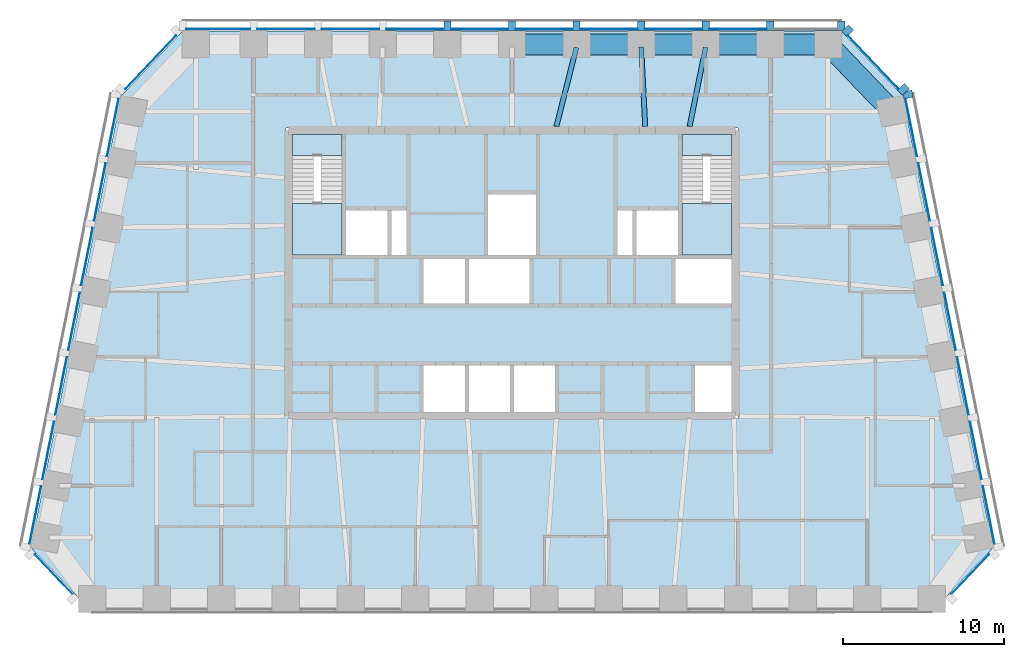
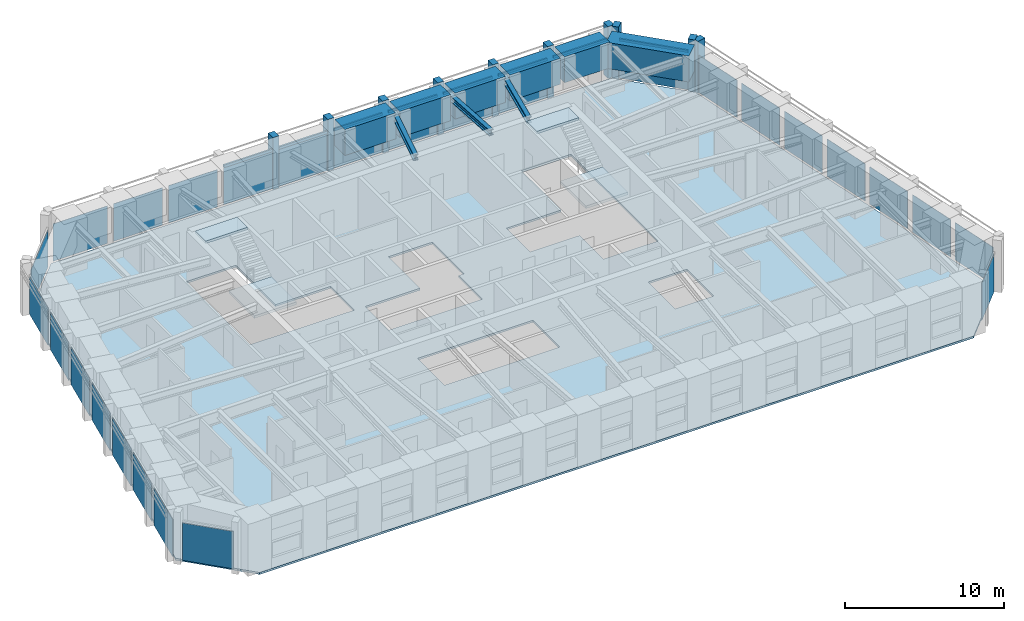
# One storey, part 3 of 11: 27 plates, 18 members, 9 beams, 5 slabs, 9 elements without a shape of their own.
"""IFC4 building model written with IfcOpenShell, lengths in metres."""

from ifc_helpers import new_model, si_unit, direction, frame, origin, origin_2d, place, context, subcontext, project, spatial, polyline, rectangle, i_section, outline, extrude, material, layer, layer_set, material_profile, profile_set, type_object, element, aggregate, save


model = new_model("IFC4")

# Units and contexts
model_context = context("Model", 3, precision=1e-05, world=origin(), true_north=direction((0.0, 1.0)))
body_context = subcontext(model_context, "Body", "Model", "MODEL_VIEW")
ifc_project = project(units=[si_unit("LENGTHUNIT", "METRE"), si_unit("AREAUNIT", "SQUARE_METRE"), si_unit("VOLUMEUNIT", "CUBIC_METRE"), si_unit("PLANEANGLEUNIT", "RADIAN"), si_unit("MASSUNIT", "GRAM", prefix="KILO")], contexts=[model_context])

# Site, building, storey
site_placement = place(None, origin())
site = spatial("IfcSite", under=ifc_project, at=site_placement, CompositionType="ELEMENT")
building_placement = place(site_placement, origin())
building = spatial("IfcBuilding", under=site, at=building_placement, Name="Isbrekke Arena Tower", CompositionType="ELEMENT")
storey_placement = place(building_placement, frame((0.0, 0.0, 288.0)))
storey = spatial("IfcBuildingStorey", under=building, at=storey_placement, Name="L67", CompositionType="ELEMENT", Elevation=288.0)

# Beams
ifc_material_1 = material(Name="Steel S355", Category="steel")
ifc_material_profile_1 = material_profile(ifc_material_1, i_section(OverallWidth=0.306884765625, OverallDepth=0.431884765625, WebThickness=0.02099609375, FlangeThickness=0.0400390625, FilletRadius=0.027099609375, at=origin_2d()), Name="HEM 400")
ifc_profile_set_1 = profile_set([ifc_material_profile_1], Name="Steel S355")
beam_type_1 = type_object("IfcBeamType", Name="B6 HEM 400", PredefinedType="BEAM", material=ifc_profile_set_1)
beam_1_placement = place(storey_placement, frame((11.993896484375, 28.9951171875, 3.634033203125), z_axis=(-0.198982177337, -0.980003108721, 0.0), x_axis=(0.980003108721, -0.198982177337, 0.0)))
element("IfcBeam", 1, at=beam_1_placement, inside=storey, type_object=beam_type_1, Name="B6 beam N-N03 L67", PredefinedType="BEAM", context=body_context, shape_type="SweptSolid", body=[
    extrude(i_section(OverallWidth=0.306884765625, OverallDepth=0.431884765625, WebThickness=0.02099609375, FlangeThickness=0.0400390625, FilletRadius=0.027099609375, at=origin_2d()), origin(), (0.0, 0.0, 1.0), 4.994873046875),
])
beam_2_placement = place(storey_placement, frame((8.00048828125, 29.017333984375, 3.634033203125), z_axis=(0.050677067868, -0.998715091902, 0.0), x_axis=(0.998715091902, 0.050677067868, 0.0)))
element("IfcBeam", 2, at=beam_2_placement, inside=storey, type_object=beam_type_1, Name="B6 beam N-N04 L67", PredefinedType="BEAM", context=body_context, shape_type="SweptSolid", body=[
    extrude(i_section(OverallWidth=0.306884765625, OverallDepth=0.431884765625, WebThickness=0.02099609375, FlangeThickness=0.0400390625, FilletRadius=0.027099609375, at=origin_2d()), origin(), (0.0, 0.0, 1.0), 4.923583984375),
])
beam_3_placement = place(storey_placement, frame((3.99072265625, 28.98828125, 3.634033203125), z_axis=(-0.246019579109, -0.969264858898, 0.0), x_axis=(0.969264858898, -0.246019579109, 0.0)))
element("IfcBeam", 3, at=beam_3_placement, inside=storey, type_object=beam_type_1, Name="B6 beam N-N05 L67", PredefinedType="BEAM", context=body_context, shape_type="SweptSolid", body=[
    extrude(i_section(OverallWidth=0.306884765625, OverallDepth=0.431884765625, WebThickness=0.02099609375, FlangeThickness=0.0400390625, FilletRadius=0.027099609375, at=origin_2d()), origin(), (0.0, 0.0, 1.0), 5.043212890625),
])

# Curtain wall, member
ifc_material_2 = material(Name="Glazed aluminium curtain wall", Category="aluminium")
curtain_wall_type = type_object("IfcCurtainWallType", Name="CWT TOWER CURTAIN WALL TOP ZONE", PredefinedType="USERDEFINED", material=ifc_material_2)
curtain_wall_1_placement = place(storey_placement, origin())
curtain_wall_1 = element("IfcCurtainWall", 4, at=curtain_wall_1_placement, inside=storey, type_object=curtain_wall_type, Name="CWT curtain wall L67-E", ObjectType="TOWER CURTAIN WALL TOP ZONE", PredefinedType="USERDEFINED")
ifc_material_3 = material(Name="Copper-clad aluminium mullion", Category="aluminium")
ifc_material_profile_2 = material_profile(ifc_material_3, rectangle(XDim=0.449951171875, YDim=0.60009765625, at=origin_2d()), Name="PIER 450X600")
ifc_profile_set_2 = profile_set([ifc_material_profile_2], Name="Copper-clad aluminium mullion")
member_type_1 = type_object("IfcMemberType", Name="CWT-M PIER MULLION 450 x 600", PredefinedType="MULLION", material=ifc_profile_set_2)
member_1_placement = place(storey_placement, frame((24.518798828125, 26.063720703125, 0.0), z_axis=(0.0, 0.0, 1.0), x_axis=(-0.196116135138, 0.980580675691, 0.0)))
member_1 = element("IfcMember", 5, at=member_1_placement, type_object=member_type_1, Name="CWT-M mullion 8", PredefinedType="MULLION", context=body_context, shape_type="SweptSolid", body=[
    extrude(rectangle(XDim=0.449951171875, YDim=0.60009765625, at=origin_2d()), origin(), (0.0, 0.0, 1.0), 4.0),
])

# Curtain wall, members
curtain_wall_2_placement = place(storey_placement, origin())
curtain_wall_2 = element("IfcCurtainWall", 6, at=curtain_wall_2_placement, inside=storey, type_object=curtain_wall_type, Name="CWT curtain wall L67-EN", ObjectType="TOWER CURTAIN WALL TOP ZONE", PredefinedType="USERDEFINED")
member_2_placement = place(storey_placement, frame((24.244384765625, 26.388671875, 0.0), z_axis=(0.0, 0.0, 1.0), x_axis=(-0.68874946192, 0.72499943359, 0.0)))
member_2 = element("IfcMember", 7, at=member_2_placement, type_object=member_type_1, Name="CWT-M mullion 1", PredefinedType="MULLION", context=body_context, shape_type="SweptSolid", body=[
    extrude(rectangle(XDim=0.449951171875, YDim=0.60009765625, at=origin_2d()), origin(), (0.0, 0.0, 1.0), 4.0),
])
member_3_placement = place(storey_placement, frame((20.795166015625, 30.019775390625, 0.0), z_axis=(0.0, 0.0, 1.0), x_axis=(-0.68874946192, 0.72499943359, 0.0)))
member_3 = element("IfcMember", 8, at=member_3_placement, type_object=member_type_1, Name="CWT-M mullion 2", PredefinedType="MULLION", context=body_context, shape_type="SweptSolid", body=[
    extrude(rectangle(XDim=0.449951171875, YDim=0.60009765625, at=origin_2d()), origin(), (0.0, 0.0, 1.0), 4.0),
])

curtain_wall_3_placement = place(storey_placement, origin())
curtain_wall_3 = element("IfcCurtainWall", 9, at=curtain_wall_3_placement, inside=storey, type_object=curtain_wall_type, Name="CWT curtain wall L67-N", ObjectType="TOWER CURTAIN WALL TOP ZONE", PredefinedType="USERDEFINED")
member_4_placement = place(storey_placement, frame((20.39990234375, 30.324951171875, 0.0), z_axis=(0.0, 0.0, 1.0), x_axis=(-1.0, 0.0, 0.0)))
member_4 = element("IfcMember", 10, at=member_4_placement, type_object=member_type_1, Name="CWT-M mullion 1", PredefinedType="MULLION", context=body_context, shape_type="SweptSolid", body=[
    extrude(rectangle(XDim=0.449951171875, YDim=0.60009765625, at=origin_2d()), origin(), (0.0, 0.0, 1.0), 4.0),
])
member_5_placement = place(storey_placement, frame((16.0, 30.324951171875, 0.0), z_axis=(0.0, 0.0, 1.0), x_axis=(-1.0, 0.0, 0.0)))
member_5 = element("IfcMember", 11, at=member_5_placement, type_object=member_type_1, Name="CWT-M mullion 2", PredefinedType="MULLION", context=body_context, shape_type="SweptSolid", body=[
    extrude(rectangle(XDim=0.449951171875, YDim=0.60009765625, at=origin_2d()), origin(), (0.0, 0.0, 1.0), 4.0),
])
member_6_placement = place(storey_placement, frame((12.0, 30.324951171875, 0.0), z_axis=(0.0, 0.0, 1.0), x_axis=(-1.0, 0.0, 0.0)))
member_6 = element("IfcMember", 12, at=member_6_placement, type_object=member_type_1, Name="CWT-M mullion 3", PredefinedType="MULLION", context=body_context, shape_type="SweptSolid", body=[
    extrude(rectangle(XDim=0.449951171875, YDim=0.60009765625, at=origin_2d()), origin(), (0.0, 0.0, 1.0), 4.0),
])
member_7_placement = place(storey_placement, frame((8.0, 30.324951171875, 0.0), z_axis=(0.0, 0.0, 1.0), x_axis=(-1.0, 0.0, 0.0)))
member_7 = element("IfcMember", 13, at=member_7_placement, type_object=member_type_1, Name="CWT-M mullion 4", PredefinedType="MULLION", context=body_context, shape_type="SweptSolid", body=[
    extrude(rectangle(XDim=0.449951171875, YDim=0.60009765625, at=origin_2d()), origin(), (0.0, 0.0, 1.0), 4.0),
])
member_8_placement = place(storey_placement, frame((4.0, 30.324951171875, 0.0), z_axis=(0.0, 0.0, 1.0), x_axis=(-1.0, 0.0, 0.0)))
member_8 = element("IfcMember", 14, at=member_8_placement, type_object=member_type_1, Name="CWT-M mullion 5", PredefinedType="MULLION", context=body_context, shape_type="SweptSolid", body=[
    extrude(rectangle(XDim=0.449951171875, YDim=0.60009765625, at=origin_2d()), origin(), (0.0, 0.0, 1.0), 4.0),
])
member_9_placement = place(storey_placement, frame((0.0, 30.324951171875, 0.0), z_axis=(0.0, 0.0, 1.0), x_axis=(-1.0, 0.0, 0.0)))
member_9 = element("IfcMember", 15, at=member_9_placement, type_object=member_type_1, Name="CWT-M mullion 6", PredefinedType="MULLION", context=body_context, shape_type="SweptSolid", body=[
    extrude(rectangle(XDim=0.449951171875, YDim=0.60009765625, at=origin_2d()), origin(), (0.0, 0.0, 1.0), 4.0),
])
member_10_placement = place(storey_placement, frame((-4.0, 30.324951171875, 0.0), z_axis=(0.0, 0.0, 1.0), x_axis=(-1.0, 0.0, 0.0)))
member_10 = element("IfcMember", 16, at=member_10_placement, type_object=member_type_1, Name="CWT-M mullion 7", PredefinedType="MULLION", context=body_context, shape_type="SweptSolid", body=[
    extrude(rectangle(XDim=0.449951171875, YDim=0.60009765625, at=origin_2d()), origin(), (0.0, 0.0, 1.0), 4.0),
])

# Member
ifc_material_4 = material(Name="Aluminium transom", Category="aluminium")
ifc_material_profile_3 = material_profile(ifc_material_4, rectangle(XDim=0.1201171875, YDim=0.199951171875, at=origin_2d()), Name="TRANSOM 120X200")
ifc_profile_set_3 = profile_set([ifc_material_profile_3], Name="Aluminium transom")
member_type_2 = type_object("IfcMemberType", Name="CWT-T TRANSOM 120 x 200", PredefinedType="USERDEFINED", material=ifc_profile_set_3)
member_11_placement = place(storey_placement, frame((23.944580078125, 26.4140625, 3.0), z_axis=(-0.688771983213, 0.724978037696, 0.0), x_axis=(-0.724978037696, -0.688771983213, 0.0)))
member_11 = element("IfcMember", 17, at=member_11_placement, type_object=member_type_2, Name="CWT-T transom 1", ObjectType="TRANSOM", PredefinedType="USERDEFINED", context=body_context, shape_type="SweptSolid", body=[
    extrude(rectangle(XDim=0.1201171875, YDim=0.199951171875, at=origin_2d()), origin(), (0.0, 0.0, 1.0), 4.558349609375),
])

member_12_placement = place(storey_placement, frame((20.175048828125, 30.125, 3.0), z_axis=(-1.0, 0.0, 0.0), x_axis=(0.0, -1.0, 0.0)))
member_12 = element("IfcMember", 18, at=member_12_placement, type_object=member_type_2, Name="CWT-T transom 1", ObjectType="TRANSOM", PredefinedType="USERDEFINED", context=body_context, shape_type="SweptSolid", body=[
    extrude(rectangle(XDim=0.1201171875, YDim=0.199951171875, at=origin_2d()), origin(), (0.0, 0.0, 1.0), 3.949951171875),
])

member_13_placement = place(storey_placement, frame((15.77490234375, 30.125, 3.0), z_axis=(-1.0, 0.0, 0.0), x_axis=(0.0, -1.0, 0.0)))
member_13 = element("IfcMember", 19, at=member_13_placement, type_object=member_type_2, Name="CWT-T transom 2", ObjectType="TRANSOM", PredefinedType="USERDEFINED", context=body_context, shape_type="SweptSolid", body=[
    extrude(rectangle(XDim=0.1201171875, YDim=0.199951171875, at=origin_2d()), origin(), (0.0, 0.0, 1.0), 3.5498046875),
])

member_14_placement = place(storey_placement, frame((11.77490234375, 30.125, 3.0), z_axis=(-1.0, 0.0, 0.0), x_axis=(0.0, -1.0, 0.0)))
member_14 = element("IfcMember", 20, at=member_14_placement, type_object=member_type_2, Name="CWT-T transom 3", ObjectType="TRANSOM", PredefinedType="USERDEFINED", context=body_context, shape_type="SweptSolid", body=[
    extrude(rectangle(XDim=0.1201171875, YDim=0.199951171875, at=origin_2d()), origin(), (0.0, 0.0, 1.0), 3.5498046875),
])

member_15_placement = place(storey_placement, frame((7.77490234375, 30.125, 3.0), z_axis=(-1.0, 0.0, 0.0), x_axis=(0.0, -1.0, 0.0)))
member_15 = element("IfcMember", 21, at=member_15_placement, type_object=member_type_2, Name="CWT-T transom 4", ObjectType="TRANSOM", PredefinedType="USERDEFINED", context=body_context, shape_type="SweptSolid", body=[
    extrude(rectangle(XDim=0.1201171875, YDim=0.199951171875, at=origin_2d()), origin(), (0.0, 0.0, 1.0), 3.5498046875),
])

member_16_placement = place(storey_placement, frame((3.77490234375, 30.125, 3.0), z_axis=(-1.0, 0.0, 0.0), x_axis=(0.0, -1.0, 0.0)))
member_16 = element("IfcMember", 22, at=member_16_placement, type_object=member_type_2, Name="CWT-T transom 5", ObjectType="TRANSOM", PredefinedType="USERDEFINED", context=body_context, shape_type="SweptSolid", body=[
    extrude(rectangle(XDim=0.1201171875, YDim=0.199951171875, at=origin_2d()), origin(), (0.0, 0.0, 1.0), 3.5498046875),
])

member_17_placement = place(storey_placement, frame((-0.22509765625, 30.125, 3.0), z_axis=(-1.0, 0.0, 0.0), x_axis=(0.0, -1.0, 0.0)))
member_17 = element("IfcMember", 23, at=member_17_placement, type_object=member_type_2, Name="CWT-T transom 6", ObjectType="TRANSOM", PredefinedType="USERDEFINED", context=body_context, shape_type="SweptSolid", body=[
    extrude(rectangle(XDim=0.1201171875, YDim=0.199951171875, at=origin_2d()), origin(), (0.0, 0.0, 1.0), 3.5498046875),
])

member_18_placement = place(storey_placement, frame((-4.22509765625, 30.125, 3.0), z_axis=(-1.0, 0.0, 0.0), x_axis=(0.0, -1.0, 0.0)))
member_18 = element("IfcMember", 24, at=member_18_placement, type_object=member_type_2, Name="CWT-T transom 7", ObjectType="TRANSOM", PredefinedType="USERDEFINED", context=body_context, shape_type="SweptSolid", body=[
    extrude(rectangle(XDim=0.1201171875, YDim=0.199951171875, at=origin_2d()), origin(), (0.0, 0.0, 1.0), 3.5498046875),
])

# Beams
ifc_material_5 = material(Name="Concrete B55 (C55/67)", Category="concrete")
ifc_material_profile_4 = material_profile(ifc_material_5, rectangle(XDim=1.300048828125, YDim=2.0, at=origin_2d()), Name="RC 1300x2000")
ifc_profile_set_4 = profile_set([ifc_material_profile_4], Name="Concrete B55 (C55/67)")
beam_type_2 = type_object("IfcBeamType", Name="SB4 RC 1300 x 2000", PredefinedType="SPANDREL", material=ifc_profile_set_4)
beam_4_placement = place(storey_placement, frame((23.448974609375, 25.137451171875, 3.0), z_axis=(-0.692339547635, 0.721571861134, 0.0), x_axis=(-0.721571861134, -0.692339547635, 0.0)))
element("IfcBeam", 25, at=beam_4_placement, inside=storey, type_object=beam_type_2, Name="SB4 spandrel E08-N01 L67", PredefinedType="SPANDREL", context=body_context, shape_type="SweptSolid", body=[
    extrude(rectangle(XDim=1.300048828125, YDim=2.0, at=origin_2d()), origin(), (0.0, 0.0, 1.0), 5.4453125),
])
beam_5_placement = place(storey_placement, frame((19.425048828125, 29.175048828125, 3.0), z_axis=(-1.0, 0.0, 0.0), x_axis=(0.0, -1.0, 0.0)))
element("IfcBeam", 26, at=beam_5_placement, inside=storey, type_object=beam_type_2, Name="SB4 spandrel N01-N02 L67", PredefinedType="SPANDREL", context=body_context, shape_type="SweptSolid", body=[
    extrude(rectangle(XDim=1.300048828125, YDim=2.0, at=origin_2d()), origin(), (0.0, 0.0, 1.0), 3.275146484375),
])
for number, where, z_axis, x_axis, name in (
    (27, (15.85009765625, 29.175048828125, 3.0), (-1.0, 0.0, 0.0), (0.0, -1.0, 0.0), "SB4 spandrel N02-N03 L67"),
    (28, (11.85009765625, 29.175048828125, 3.0), (-1.0, 0.0, 0.0), (0.0, -1.0, 0.0), "SB4 spandrel N03-N04 L67"),
    (29, (7.85009765625, 29.175048828125, 3.0), (-1.0, 0.0, 0.0), (0.0, -1.0, 0.0), "SB4 spandrel N04-N05 L67"),
    (30, (3.85009765625, 29.175048828125, 3.0), (-1.0, 0.0, 0.0), (0.0, -1.0, 0.0), "SB4 spandrel N05-N06 L67"),
):
    element("IfcBeam", number, at=place(storey_placement, frame(where, z_axis=z_axis, x_axis=x_axis)), inside=storey, type_object=beam_type_2, Name=name, PredefinedType="SPANDREL", context=body_context, shape_type="SweptSolid", body=[
        extrude(rectangle(XDim=1.300048828125, YDim=2.0, at=origin_2d()), origin(), (0.0, 0.0, 1.0), 3.7001953125),
    ])

# Curtain wall, plate
curtain_wall_4_placement = place(storey_placement, origin())
curtain_wall_4 = element("IfcCurtainWall", 31, at=curtain_wall_4_placement, inside=storey, type_object=curtain_wall_type, Name="CWT curtain wall L67-SE", ObjectType="TOWER CURTAIN WALL TOP ZONE", PredefinedType="USERDEFINED")
ifc_material_6 = material(Name="Triple-glazed clear glass unit", Category="glass")
ifc_layer_1 = layer(ifc_material_6, 0.031982421875)
ifc_layer_set_1 = layer_set([ifc_layer_1], Name="CWT-P VISION PANEL")
plate_type = type_object("IfcPlateType", Name="CWT-P VISION PANEL", PredefinedType="CURTAIN_PANEL", material=ifc_layer_set_1)
plate_1_placement = place(storey_placement, frame((28.383056640625, -3.63671875, 0.02001953125), z_axis=(0.0, 0.0, 1.0), x_axis=(0.68874946192, 0.72499943359, 0.0)))
plate_1 = element("IfcPlate", 32, at=plate_1_placement, type_object=plate_type, Name="CWT-P panel 1", PredefinedType="CURTAIN_PANEL", context=body_context, shape_type="SweptSolid", body=[
    extrude(rectangle(XDim=3.34765625, YDim=0.031982421875, at=origin_2d()), origin(), (0.0, 0.0, 1.0), 2.8798828125),
])
aggregate(curtain_wall_4, [plate_1])

# Plate
plate_2_placement = place(storey_placement, frame((29.5224609375, 0.0244140625, 0.02001953125), z_axis=(0.0, 0.0, 1.0), x_axis=(-0.196116135138, 0.980580675691, 0.0)))
plate_2 = element("IfcPlate", 33, at=plate_2_placement, type_object=plate_type, Name="CWT-P panel 1", PredefinedType="CURTAIN_PANEL", context=body_context, shape_type="SweptSolid", body=[
    extrude(rectangle(XDim=3.629150390625, YDim=0.031982421875, at=origin_2d()), origin(), (0.0, 0.0, 1.0), 2.8798828125),
])

plate_3_placement = place(storey_placement, frame((28.72265625, 4.0244140625, 0.02001953125), z_axis=(0.0, 0.0, 1.0), x_axis=(-0.196116135138, 0.980580675691, 0.0)))
plate_3 = element("IfcPlate", 34, at=plate_3_placement, type_object=plate_type, Name="CWT-P panel 2", PredefinedType="CURTAIN_PANEL", context=body_context, shape_type="SweptSolid", body=[
    extrude(rectangle(XDim=3.629150390625, YDim=0.031982421875, at=origin_2d()), origin(), (0.0, 0.0, 1.0), 2.8798828125),
])

plate_4_placement = place(storey_placement, frame((27.922607421875, 8.0244140625, 0.02001953125), z_axis=(0.0, 0.0, 1.0), x_axis=(-0.196116135138, 0.980580675691, 0.0)))
plate_4 = element("IfcPlate", 35, at=plate_4_placement, type_object=plate_type, Name="CWT-P panel 3", PredefinedType="CURTAIN_PANEL", context=body_context, shape_type="SweptSolid", body=[
    extrude(rectangle(XDim=3.629150390625, YDim=0.031982421875, at=origin_2d()), origin(), (0.0, 0.0, 1.0), 2.8798828125),
])

plate_5_placement = place(storey_placement, frame((27.12255859375, 12.0244140625, 0.02001953125), z_axis=(0.0, 0.0, 1.0), x_axis=(-0.196116135138, 0.980580675691, 0.0)))
plate_5 = element("IfcPlate", 36, at=plate_5_placement, type_object=plate_type, Name="CWT-P panel 4", PredefinedType="CURTAIN_PANEL", context=body_context, shape_type="SweptSolid", body=[
    extrude(rectangle(XDim=3.629150390625, YDim=0.031982421875, at=origin_2d()), origin(), (0.0, 0.0, 1.0), 2.8798828125),
])

plate_6_placement = place(storey_placement, frame((26.322509765625, 16.0244140625, 0.02001953125), z_axis=(0.0, 0.0, 1.0), x_axis=(-0.196116135138, 0.980580675691, 0.0)))
plate_6 = element("IfcPlate", 37, at=plate_6_placement, type_object=plate_type, Name="CWT-P panel 5", PredefinedType="CURTAIN_PANEL", context=body_context, shape_type="SweptSolid", body=[
    extrude(rectangle(XDim=3.629150390625, YDim=0.031982421875, at=origin_2d()), origin(), (0.0, 0.0, 1.0), 2.8798828125),
])

plate_7_placement = place(storey_placement, frame((25.5224609375, 20.0244140625, 0.02001953125), z_axis=(0.0, 0.0, 1.0), x_axis=(-0.196116135138, 0.980580675691, 0.0)))
plate_7 = element("IfcPlate", 38, at=plate_7_placement, type_object=plate_type, Name="CWT-P panel 6", PredefinedType="CURTAIN_PANEL", context=body_context, shape_type="SweptSolid", body=[
    extrude(rectangle(XDim=3.629150390625, YDim=0.031982421875, at=origin_2d()), origin(), (0.0, 0.0, 1.0), 2.8798828125),
])

plate_8_placement = place(storey_placement, frame((24.72265625, 24.0244140625, 0.02001953125), z_axis=(0.0, 0.0, 1.0), x_axis=(-0.196116135138, 0.980580675691, 0.0)))
plate_8 = element("IfcPlate", 39, at=plate_8_placement, type_object=plate_type, Name="CWT-P panel 7", PredefinedType="CURTAIN_PANEL", context=body_context, shape_type="SweptSolid", body=[
    extrude(rectangle(XDim=3.629150390625, YDim=0.031982421875, at=origin_2d()), origin(), (0.0, 0.0, 1.0), 2.8798828125),
])

aggregate(curtain_wall_1, [member_1, plate_2, plate_3, plate_4, plate_5, plate_6, plate_7, plate_8])

plate_9_placement = place(storey_placement, frame((22.374755859375, 28.06640625, 0.02001953125), z_axis=(0.0, 0.0, 1.0), x_axis=(-0.68874946192, 0.72499943359, 0.0)))
plate_9 = element("IfcPlate", 40, at=plate_9_placement, type_object=plate_type, Name="CWT-P panel 1", PredefinedType="CURTAIN_PANEL", context=body_context, shape_type="SweptSolid", body=[
    extrude(rectangle(XDim=4.558349609375, YDim=0.031982421875, at=origin_2d()), origin(), (0.0, 0.0, 1.0), 2.8798828125),
])

aggregate(curtain_wall_2, [member_2, member_3, member_11, plate_9])

plate_10_placement = place(storey_placement, frame((14.0, 30.125, 0.02001953125), z_axis=(0.0, 0.0, 1.0), x_axis=(-1.0, 0.0, 0.0)))
plate_10 = element("IfcPlate", 41, at=plate_10_placement, type_object=plate_type, Name="CWT-P panel 2", PredefinedType="CURTAIN_PANEL", context=body_context, shape_type="SweptSolid", body=[
    extrude(rectangle(XDim=3.550048828125, YDim=0.031982421875, at=origin_2d()), origin(), (0.0, 0.0, 1.0), 2.8798828125),
])

plate_11_placement = place(storey_placement, frame((10.0, 30.125, 0.02001953125), z_axis=(0.0, 0.0, 1.0), x_axis=(-1.0, 0.0, 0.0)))
plate_11 = element("IfcPlate", 42, at=plate_11_placement, type_object=plate_type, Name="CWT-P panel 3", PredefinedType="CURTAIN_PANEL", context=body_context, shape_type="SweptSolid", body=[
    extrude(rectangle(XDim=3.550048828125, YDim=0.031982421875, at=origin_2d()), origin(), (0.0, 0.0, 1.0), 2.8798828125),
])

plate_12_placement = place(storey_placement, frame((6.0, 30.125, 0.02001953125), z_axis=(0.0, 0.0, 1.0), x_axis=(-1.0, 0.0, 0.0)))
plate_12 = element("IfcPlate", 43, at=plate_12_placement, type_object=plate_type, Name="CWT-P panel 4", PredefinedType="CURTAIN_PANEL", context=body_context, shape_type="SweptSolid", body=[
    extrude(rectangle(XDim=3.550048828125, YDim=0.031982421875, at=origin_2d()), origin(), (0.0, 0.0, 1.0), 2.8798828125),
])

plate_13_placement = place(storey_placement, frame((2.0, 30.125, 0.02001953125), z_axis=(0.0, 0.0, 1.0), x_axis=(-1.0, 0.0, 0.0)))
plate_13 = element("IfcPlate", 44, at=plate_13_placement, type_object=plate_type, Name="CWT-P panel 5", PredefinedType="CURTAIN_PANEL", context=body_context, shape_type="SweptSolid", body=[
    extrude(rectangle(XDim=3.550048828125, YDim=0.031982421875, at=origin_2d()), origin(), (0.0, 0.0, 1.0), 2.8798828125),
])

plate_14_placement = place(storey_placement, frame((-2.0, 30.125, 0.02001953125), z_axis=(0.0, 0.0, 1.0), x_axis=(-1.0, 0.0, 0.0)))
plate_14 = element("IfcPlate", 45, at=plate_14_placement, type_object=plate_type, Name="CWT-P panel 6", PredefinedType="CURTAIN_PANEL", context=body_context, shape_type="SweptSolid", body=[
    extrude(rectangle(XDim=3.550048828125, YDim=0.031982421875, at=origin_2d()), origin(), (0.0, 0.0, 1.0), 2.8798828125),
])

plate_15_placement = place(storey_placement, frame((-6.0, 30.125, 0.02001953125), z_axis=(0.0, 0.0, 1.0), x_axis=(-1.0, 0.0, 0.0)))
plate_15 = element("IfcPlate", 46, at=plate_15_placement, type_object=plate_type, Name="CWT-P panel 7", PredefinedType="CURTAIN_PANEL", context=body_context, shape_type="SweptSolid", body=[
    extrude(rectangle(XDim=3.550048828125, YDim=0.031982421875, at=origin_2d()), origin(), (0.0, 0.0, 1.0), 2.8798828125),
])

plate_16_placement = place(storey_placement, frame((-10.0, 30.125, 0.02001953125), z_axis=(0.0, 0.0, 1.0), x_axis=(-1.0, 0.0, 0.0)))
plate_16 = element("IfcPlate", 47, at=plate_16_placement, type_object=plate_type, Name="CWT-P panel 8", PredefinedType="CURTAIN_PANEL", context=body_context, shape_type="SweptSolid", body=[
    extrude(rectangle(XDim=3.550048828125, YDim=0.031982421875, at=origin_2d()), origin(), (0.0, 0.0, 1.0), 2.8798828125),
])

plate_17_placement = place(storey_placement, frame((-14.0, 30.125, 0.02001953125), z_axis=(0.0, 0.0, 1.0), x_axis=(-1.0, 0.0, 0.0)))
plate_17 = element("IfcPlate", 48, at=plate_17_placement, type_object=plate_type, Name="CWT-P panel 9", PredefinedType="CURTAIN_PANEL", context=body_context, shape_type="SweptSolid", body=[
    extrude(rectangle(XDim=3.550048828125, YDim=0.031982421875, at=origin_2d()), origin(), (0.0, 0.0, 1.0), 2.8798828125),
])

plate_18_placement = place(storey_placement, frame((-18.199951171875, 30.125, 0.02001953125), z_axis=(0.0, 0.0, 1.0), x_axis=(-1.0, 0.0, 0.0)))
plate_18 = element("IfcPlate", 49, at=plate_18_placement, type_object=plate_type, Name="CWT-P panel 10", PredefinedType="CURTAIN_PANEL", context=body_context, shape_type="SweptSolid", body=[
    extrude(rectangle(XDim=3.949951171875, YDim=0.031982421875, at=origin_2d()), origin(), (0.0, 0.0, 1.0), 2.8798828125),
])

aggregate(curtain_wall_3, [member_4, member_5, member_6, member_7, member_8, member_9, member_10, member_12, member_13, plate_10, member_14, plate_11, member_15, plate_12, member_16, plate_13, member_17, plate_14, member_18, plate_15, plate_16, plate_17, plate_18])

# Curtain wall, plate
curtain_wall_5_placement = place(storey_placement, origin())
curtain_wall_5 = element("IfcCurtainWall", 50, at=curtain_wall_5_placement, inside=storey, type_object=curtain_wall_type, Name="CWT curtain wall L67-NW", ObjectType="TOWER CURTAIN WALL TOP ZONE", PredefinedType="USERDEFINED")
plate_19_placement = place(storey_placement, frame((-22.37451171875, 28.066650390625, 0.02001953125), z_axis=(0.0, 0.0, 1.0), x_axis=(-0.68874946192, -0.72499943359, 0.0)))
plate_19 = element("IfcPlate", 51, at=plate_19_placement, type_object=plate_type, Name="CWT-P panel 1", PredefinedType="CURTAIN_PANEL", context=body_context, shape_type="SweptSolid", body=[
    extrude(rectangle(XDim=4.557373046875, YDim=0.031982421875, at=origin_2d()), origin(), (0.0, 0.0, 1.0), 2.8798828125),
])
aggregate(curtain_wall_5, [plate_19])

# Curtain wall, plates
curtain_wall_6_placement = place(storey_placement, origin())
curtain_wall_6 = element("IfcCurtainWall", 52, at=curtain_wall_6_placement, inside=storey, type_object=curtain_wall_type, Name="CWT curtain wall L67-W", ObjectType="TOWER CURTAIN WALL TOP ZONE", PredefinedType="USERDEFINED")
plate_20_placement = place(storey_placement, frame((-24.72265625, 24.0244140625, 0.02001953125), z_axis=(0.0, 0.0, 1.0), x_axis=(-0.196116135138, -0.980580675691, 0.0)))
plate_20 = element("IfcPlate", 53, at=plate_20_placement, type_object=plate_type, Name="CWT-P panel 1", PredefinedType="CURTAIN_PANEL", context=body_context, shape_type="SweptSolid", body=[
    extrude(rectangle(XDim=3.629150390625, YDim=0.031982421875, at=origin_2d()), origin(), (0.0, 0.0, 1.0), 2.8798828125),
])
plate_21_placement = place(storey_placement, frame((-25.5224609375, 20.0244140625, 0.02001953125), z_axis=(0.0, 0.0, 1.0), x_axis=(-0.196116135138, -0.980580675691, 0.0)))
plate_21 = element("IfcPlate", 54, at=plate_21_placement, type_object=plate_type, Name="CWT-P panel 2", PredefinedType="CURTAIN_PANEL", context=body_context, shape_type="SweptSolid", body=[
    extrude(rectangle(XDim=3.629150390625, YDim=0.031982421875, at=origin_2d()), origin(), (0.0, 0.0, 1.0), 2.8798828125),
])
plate_22_placement = place(storey_placement, frame((-26.322509765625, 16.0244140625, 0.02001953125), z_axis=(0.0, 0.0, 1.0), x_axis=(-0.196116135138, -0.980580675691, 0.0)))
plate_22 = element("IfcPlate", 55, at=plate_22_placement, type_object=plate_type, Name="CWT-P panel 3", PredefinedType="CURTAIN_PANEL", context=body_context, shape_type="SweptSolid", body=[
    extrude(rectangle(XDim=3.629150390625, YDim=0.031982421875, at=origin_2d()), origin(), (0.0, 0.0, 1.0), 2.8798828125),
])
plate_23_placement = place(storey_placement, frame((-27.12255859375, 12.0244140625, 0.02001953125), z_axis=(0.0, 0.0, 1.0), x_axis=(-0.196116135138, -0.980580675691, 0.0)))
plate_23 = element("IfcPlate", 56, at=plate_23_placement, type_object=plate_type, Name="CWT-P panel 4", PredefinedType="CURTAIN_PANEL", context=body_context, shape_type="SweptSolid", body=[
    extrude(rectangle(XDim=3.629150390625, YDim=0.031982421875, at=origin_2d()), origin(), (0.0, 0.0, 1.0), 2.8798828125),
])
plate_24_placement = place(storey_placement, frame((-27.922607421875, 8.0244140625, 0.02001953125), z_axis=(0.0, 0.0, 1.0), x_axis=(-0.196116135138, -0.980580675691, 0.0)))
plate_24 = element("IfcPlate", 57, at=plate_24_placement, type_object=plate_type, Name="CWT-P panel 5", PredefinedType="CURTAIN_PANEL", context=body_context, shape_type="SweptSolid", body=[
    extrude(rectangle(XDim=3.629150390625, YDim=0.031982421875, at=origin_2d()), origin(), (0.0, 0.0, 1.0), 2.8798828125),
])
plate_25_placement = place(storey_placement, frame((-28.72265625, 4.0244140625, 0.02001953125), z_axis=(0.0, 0.0, 1.0), x_axis=(-0.196116135138, -0.980580675691, 0.0)))
plate_25 = element("IfcPlate", 58, at=plate_25_placement, type_object=plate_type, Name="CWT-P panel 6", PredefinedType="CURTAIN_PANEL", context=body_context, shape_type="SweptSolid", body=[
    extrude(rectangle(XDim=3.629150390625, YDim=0.031982421875, at=origin_2d()), origin(), (0.0, 0.0, 1.0), 2.8798828125),
])
plate_26_placement = place(storey_placement, frame((-29.5224609375, 0.0244140625, 0.02001953125), z_axis=(0.0, 0.0, 1.0), x_axis=(-0.196116135138, -0.980580675691, 0.0)))
plate_26 = element("IfcPlate", 59, at=plate_26_placement, type_object=plate_type, Name="CWT-P panel 7", PredefinedType="CURTAIN_PANEL", context=body_context, shape_type="SweptSolid", body=[
    extrude(rectangle(XDim=3.629150390625, YDim=0.031982421875, at=origin_2d()), origin(), (0.0, 0.0, 1.0), 2.8798828125),
])
aggregate(curtain_wall_6, [plate_20, plate_21, plate_22, plate_23, plate_24, plate_25, plate_26])

# Curtain wall, plate
curtain_wall_7_placement = place(storey_placement, origin())
curtain_wall_7 = element("IfcCurtainWall", 60, at=curtain_wall_7_placement, inside=storey, type_object=curtain_wall_type, Name="CWT curtain wall L67-WS", ObjectType="TOWER CURTAIN WALL TOP ZONE", PredefinedType="USERDEFINED")
plate_27_placement = place(storey_placement, frame((-28.382568359375, -3.63720703125, 0.02001953125), z_axis=(0.0, 0.0, 1.0), x_axis=(0.68874946192, -0.72499943359, 0.0)))
plate_27 = element("IfcPlate", 61, at=plate_27_placement, type_object=plate_type, Name="CWT-P panel 1", PredefinedType="CURTAIN_PANEL", context=body_context, shape_type="SweptSolid", body=[
    extrude(rectangle(XDim=3.3466796875, YDim=0.031982421875, at=origin_2d()), origin(), (0.0, 0.0, 1.0), 2.8798828125),
])
aggregate(curtain_wall_7, [plate_27])

# Slab
ifc_material_7 = material(Name="Concrete B35 (C35/45)", Category="concrete")
ifc_layer_2 = layer(ifc_material_7, 0.14990234375)
ifc_layer_set_2 = layer_set([ifc_layer_2], Name="FS1 COMPOSITE FLOOR 150")
slab_type_1 = type_object("IfcSlabType", Name="FS1 COMPOSITE FLOOR 150", PredefinedType="FLOOR", material=ifc_layer_set_2)
slab_1_placement = place(storey_placement, frame((0.0, 0.0, -0.14990234375)))
element("IfcSlab", 62, at=slab_1_placement, inside=storey, type_object=slab_type_1, Name="FS1 floor slab L67", PredefinedType="FLOOR", context=body_context, shape_type="SweptSolid", body=[
    extrude(outline(polyline([(-26.0, -6.0), (26.0, -6.0), (29.800048828125, -2.0), (24.199951171875, 26.0), (20.39990234375, 30.0), (-20.39990234375, 30.0), (-24.199951171875, 26.0), (-29.800048828125, -2.0), (-26.0, -6.0)]), holes=[polyline([(2.800048828125, 9.39990234375), (2.800048828125, 6.0), (-5.60009765625, 6.0), (-5.60009765625, 9.39990234375), (2.800048828125, 9.39990234375)]), polyline([(11.199951171875, 6.0), (11.199951171875, 9.39990234375), (14.0, 9.39990234375), (14.0, 6.0), (11.199951171875, 6.0)]), polyline([(-5.60009765625, 13.0), (-5.60009765625, 16.0), (-1.60009765625, 16.0), (-1.60009765625, 20.0), (1.60009765625, 20.0), (1.60009765625, 16.0), (1.199951171875, 16.0), (1.199951171875, 13.0), (-5.60009765625, 13.0)]), polyline([(14.0, 13.0), (10.0, 13.0), (10.0, 16.0), (6.39990234375, 16.0), (6.39990234375, 19.0), (10.39990234375, 19.0), (10.39990234375, 24.0), (14.0, 24.0), (14.0, 13.0)]), polyline([(-6.39990234375, 19.0), (-6.39990234375, 16.0), (-14.0, 16.0), (-14.0, 24.0), (-10.39990234375, 24.0), (-10.39990234375, 19.0), (-6.39990234375, 19.0)])]), origin(), (0.0, 0.0, 1.0), 0.14990234375),
])

# Stair, slabs
ifc_material_8 = material(Name="Concrete B45 (C45/55) precast", Category="concrete")
stair_type = type_object("IfcStairType", Name="ST40 STAIR 1300 WIDE, 24 RISERS 167", PredefinedType="HALF_TURN_STAIR", material=ifc_material_8)
stair_1_placement = place(storey_placement, origin())
stair_1 = element("IfcStair", 63, at=stair_1_placement, inside=storey, type_object=stair_type, Name="ST1 stair L67", PredefinedType="HALF_TURN_STAIR")
ifc_material_9 = material(Name="Concrete B35 (C35/45)", Category="concrete")
ifc_layer_3 = layer(ifc_material_9, 0.199951171875)
ifc_layer_set_3 = layer_set([ifc_layer_3], Name="SL1 STAIR LANDING 200")
slab_type_2 = type_object("IfcSlabType", Name="SL1 STAIR LANDING 200", PredefinedType="LANDING", material=ifc_layer_set_3)
slab_2_placement = place(storey_placement, frame((0.0, 0.0, 1.800048828125)))
slab_2 = element("IfcSlab", 64, at=slab_2_placement, type_object=slab_type_2, Name="ST1 landing 1", PredefinedType="LANDING", context=body_context, shape_type="SweptSolid", body=[
    extrude(outline(polyline([(-13.60009765625, 16.125), (-10.52490234375, 16.125), (-10.52490234375, 19.330078125), (-13.60009765625, 19.330078125), (-13.60009765625, 16.125)])), origin(), (0.0, 0.0, 1.0), 0.199951171875),
])
slab_3_placement = place(storey_placement, frame((0.0, 0.0, 3.800048828125)))
slab_3 = element("IfcSlab", 65, at=slab_3_placement, type_object=slab_type_2, Name="ST1 landing 2", PredefinedType="LANDING", context=body_context, shape_type="SweptSolid", body=[
    extrude(outline(polyline([(-13.60009765625, 22.300048828125), (-10.52490234375, 22.300048828125), (-10.52490234375, 23.60009765625), (-13.60009765625, 23.60009765625), (-13.60009765625, 22.300048828125)])), origin(), (0.0, 0.0, 1.0), 0.199951171875),
])
aggregate(stair_1, [slab_2, slab_3])

stair_2_placement = place(storey_placement, origin())
stair_2 = element("IfcStair", 66, at=stair_2_placement, inside=storey, type_object=stair_type, Name="ST2 stair L67", PredefinedType="HALF_TURN_STAIR")
slab_4_placement = place(storey_placement, frame((0.0, 0.0, 1.800048828125)))
slab_4 = element("IfcSlab", 67, at=slab_4_placement, type_object=slab_type_2, Name="ST2 landing 1", PredefinedType="LANDING", context=body_context, shape_type="SweptSolid", body=[
    extrude(outline(polyline([(10.52490234375, 16.125), (13.60009765625, 16.125), (13.60009765625, 19.330078125), (10.52490234375, 19.330078125), (10.52490234375, 16.125)])), origin(), (0.0, 0.0, 1.0), 0.199951171875),
])
slab_5_placement = place(storey_placement, frame((0.0, 0.0, 3.800048828125)))
slab_5 = element("IfcSlab", 68, at=slab_5_placement, type_object=slab_type_2, Name="ST2 landing 2", PredefinedType="LANDING", context=body_context, shape_type="SweptSolid", body=[
    extrude(outline(polyline([(10.52490234375, 22.300048828125), (13.60009765625, 22.300048828125), (13.60009765625, 23.60009765625), (10.52490234375, 23.60009765625), (10.52490234375, 22.300048828125)])), origin(), (0.0, 0.0, 1.0), 0.199951171875),
])
aggregate(stair_2, [slab_4, slab_5])

save(model, "model.ifc")
